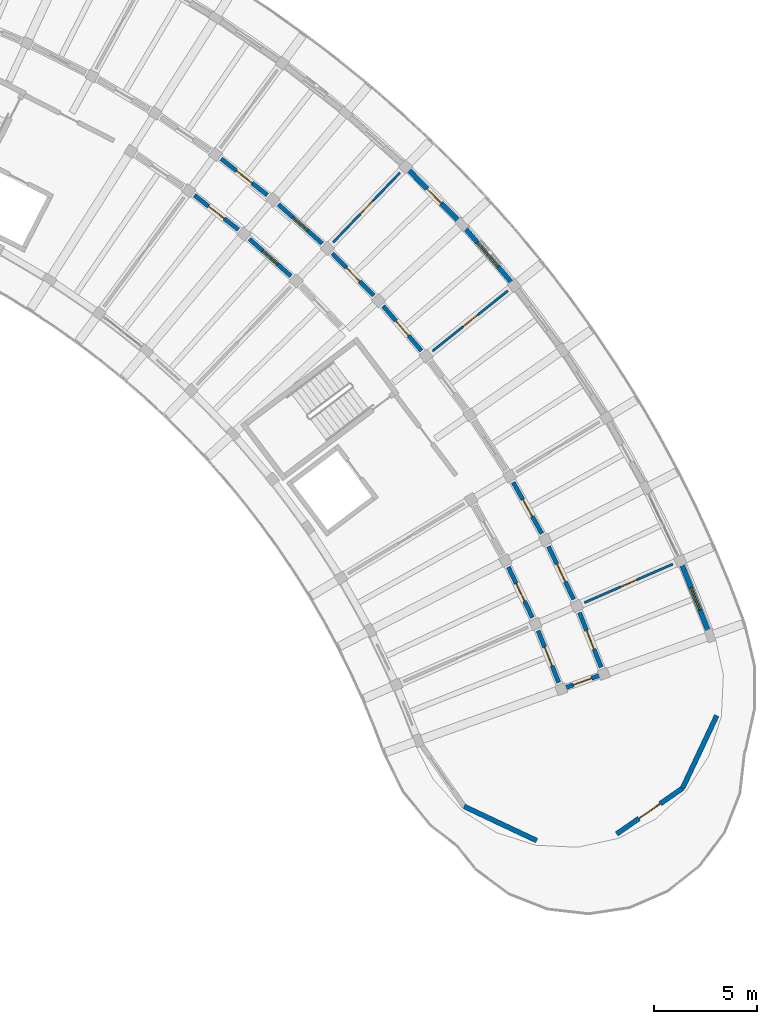
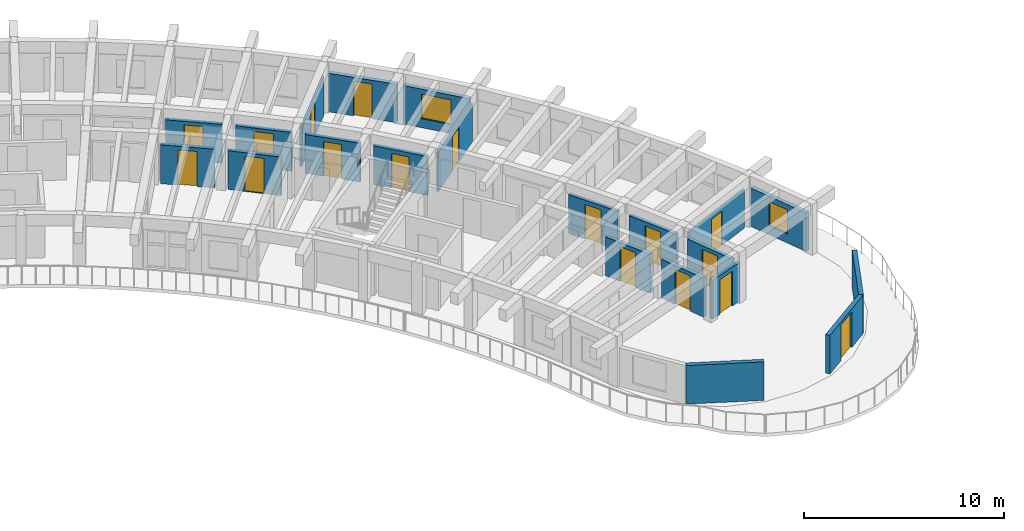
# One storey, part 56 of 83: 21 walls, 17 doors, 2 windows, 19 openings.
"""IFC4 building model written with IfcOpenShell, lengths in metres."""

from ifc_helpers import new_model, si_unit, direction, frame, frame_2d, origin, place, context, subcontext, project, spatial, rectangle, extrude, material, layer, layer_set, type_object, element, fill, save


model = new_model("IFC4")

# Units and contexts
model_context = context("Model", 3, precision=1e-05, world=origin(), true_north=direction((0.0, 1.0)))
body_context = subcontext(model_context, "Body", "Model", "MODEL_VIEW")
ifc_project = project(units=[si_unit("LENGTHUNIT", "METRE"), si_unit("AREAUNIT", "SQUARE_METRE"), si_unit("VOLUMEUNIT", "CUBIC_METRE"), si_unit("PLANEANGLEUNIT", "RADIAN"), si_unit("MASSUNIT", "GRAM", prefix="KILO")], contexts=[model_context])

# Site, building, storey
site_placement = place(None, origin())
site = spatial("IfcSite", under=ifc_project, at=site_placement, CompositionType="ELEMENT")
building_placement = place(site_placement, origin())
building = spatial("IfcBuilding", under=site, at=building_placement, Name="Tanwirah Colonnade Gardens", CompositionType="ELEMENT")
storey_placement = place(building_placement, frame((0.0, 0.0, 25.639892578125)))
storey = spatial("IfcBuildingStorey", under=building, at=storey_placement, Name="L07", CompositionType="ELEMENT", Elevation=25.639892578125)

# Wall, opening, window
ifc_material_1 = material(Name="Limestone architectural precast concrete C40/50", Category="masonry")
ifc_layer_1 = layer(ifc_material_1, 0.239990234375)
ifc_layer_set_1 = layer_set([ifc_layer_1], Name="Limestone architectural precast concrete C40/50")
wall_type_1 = type_object("IfcWallType", Name="EW-PC240", PredefinedType="SOLIDWALL", material=ifc_layer_set_1)
wall_1_placement = place(storey_placement, frame((176.978271484375, 80.498779296875, 0.0), z_axis=(0.0, 0.0, 1.0), x_axis=(-0.369205254933, 0.929347878746, 0.0)))
wall_1 = element("IfcWall", 1, at=wall_1_placement, inside=storey, type_object=wall_type_1, Name="Block B L07 OUT Precast Facade Wall 1", PredefinedType="SOLIDWALL", context=body_context, shape_type="SweptSolid", body=[
    extrude(rectangle(XDim=3.545654296875, YDim=0.239990234375, at=frame_2d((1.77294921875, 0.0))), origin(), (0.0, 0.0, 1.0), 2.355224609375),
])
opening_1_placement = place(wall_1_placement, frame((1.182861328125, 0.0, 0.550048828125)))
opening_1 = element("IfcOpeningElement", 2, at=opening_1_placement, cuts=wall_1, Name="Opening WIN-T16", PredefinedType="OPENING", context=body_context, shape_type="SweptSolid", body=[
    extrude(rectangle(XDim=1.179931640625, YDim=1.47998046875, at=frame_2d((0.58984375, 0.739990234375))), frame((0.0, 0.1298828125, 0.0), z_axis=(0.0, -1.0, 0.0), x_axis=(1.0, 0.0, 0.0)), (0.0, 0.0, 1.0), 0.260009765625),
])
ifc_material_2 = material(Name="Thermally broken bronze aluminium and solar low-E double glazing", Category="aluminium")
window_type_1 = type_object("IfcWindowType", Name="WIN-T16", PartitioningType="SINGLE_PANEL", PredefinedType="WINDOW", material=ifc_material_2)
window_1_placement = place(opening_1_placement, origin())
window_1 = element("IfcWindow", 3, at=window_1_placement, inside=storey, type_object=window_type_1, Name="Facade window B-L07-OUT-01", OverallHeight=1.47998046875, OverallWidth=1.179931640625, PartitioningType="SINGLE_PANEL", PredefinedType="WINDOW", context=body_context, shape_type="SweptSolid", body=[
    extrude(rectangle(XDim=1.179931640625, YDim=1.47998046875, at=frame_2d((0.58984375, 0.739990234375))), frame((0.0, 0.030029296875, 0.0), z_axis=(0.0, -1.0, 0.0), x_axis=(1.0, 0.0, 0.0)), (0.0, 0.0, 1.0), 0.06005859375),
])
fill(opening_1, window_1)

wall_2_placement = place(storey_placement, frame((167.353271484375, 97.5732421875, 0.0), z_axis=(0.0, 0.0, 1.0), x_axis=(-0.650173106396, 0.75978610919, 0.0)))
wall_2 = element("IfcWall", 4, at=wall_2_placement, inside=storey, type_object=wall_type_1, Name="Block B L07 OUT Precast Facade Wall 6", PredefinedType="SOLIDWALL", context=body_context, shape_type="SweptSolid", body=[
    extrude(rectangle(XDim=3.5458984375, YDim=0.239990234375, at=frame_2d((1.77294921875, 0.0))), origin(), (0.0, 0.0, 1.0), 2.355224609375),
])
opening_2_placement = place(wall_2_placement, frame((0.992919921875, 0.0, 0.550048828125)))
opening_2 = element("IfcOpeningElement", 5, at=opening_2_placement, cuts=wall_2, Name="Opening WIN-U11", PredefinedType="OPENING", context=body_context, shape_type="SweptSolid", body=[
    extrude(rectangle(XDim=1.56005859375, YDim=1.510009765625, at=frame_2d((0.780029296875, 0.7548828125))), frame((0.0, 0.1298828125, 0.0), z_axis=(0.0, -1.0, 0.0), x_axis=(1.0, 0.0, 0.0)), (0.0, 0.0, 1.0), 0.260009765625),
])
window_type_2 = type_object("IfcWindowType", Name="WIN-U11", PartitioningType="DOUBLE_PANEL_VERTICAL", PredefinedType="WINDOW", material=ifc_material_2)
window_2_placement = place(opening_2_placement, origin())
window_2 = element("IfcWindow", 6, at=window_2_placement, inside=storey, type_object=window_type_2, Name="Facade window B-L07-OUT-06", OverallHeight=1.510009765625, OverallWidth=1.56005859375, PartitioningType="SINGLE_PANEL", PredefinedType="WINDOW", context=body_context, shape_type="SweptSolid", body=[
    extrude(rectangle(XDim=1.56005859375, YDim=1.510009765625, at=frame_2d((0.780029296875, 0.7548828125))), frame((0.0, 0.030029296875, 0.0), z_axis=(0.0, -1.0, 0.0), x_axis=(1.0, 0.0, 0.0)), (0.0, 0.0, 1.0), 0.06005859375),
])
fill(opening_2, window_2)

# Wall, opening, door
wall_3_placement = place(storey_placement, frame((164.83203125, 100.503173828125, 0.0), z_axis=(0.0, 0.0, 1.0), x_axis=(-0.698796064424, 0.715320949187, 0.0)))
wall_3 = element("IfcWall", 7, at=wall_3_placement, inside=storey, type_object=wall_type_1, Name="Block B L07 OUT Precast Facade Wall 7", PredefinedType="SOLIDWALL", context=body_context, shape_type="SweptSolid", body=[
    extrude(rectangle(XDim=3.5458984375, YDim=0.239990234375, at=frame_2d((1.77294921875, 0.0))), origin(), (0.0, 0.0, 1.0), 2.355224609375),
])
opening_3_placement = place(wall_3_placement, frame((1.282958984375, 0.0, 0.0)))
opening_3 = element("IfcOpeningElement", 8, at=opening_3_placement, cuts=wall_3, Name="Opening L07-ED099", PredefinedType="OPENING", context=body_context, shape_type="SweptSolid", body=[
    extrude(rectangle(XDim=0.97998046875, YDim=2.1201171875, at=frame_2d((0.489990234375, 1.06005859375))), frame((0.0, 0.1298828125, 0.0), z_axis=(0.0, -1.0, 0.0), x_axis=(1.0, 0.0, 0.0)), (0.0, 0.0, 1.0), 0.260009765625),
])
ifc_material_3 = material(Name="Bronze aluminium glazed balcony door", Category="aluminium")
door_type_1 = type_object("IfcDoorType", Name="ED-BAL098", OperationType="NOTDEFINED", PredefinedType="DOOR", material=ifc_material_3)
door_1_placement = place(opening_3_placement, origin())
door_1 = element("IfcDoor", 9, at=door_1_placement, inside=storey, type_object=door_type_1, Name="Balcony glazed door L07-ED099", OperationType="SINGLE_SWING_LEFT", OverallHeight=2.1201171875, OverallWidth=0.97998046875, PredefinedType="DOOR", context=body_context, shape_type="SweptSolid", body=[
    extrude(rectangle(XDim=0.97998046875, YDim=2.1201171875, at=frame_2d((0.489990234375, 1.06005859375))), frame((0.0, 0.02490234375, 0.0), z_axis=(0.0, -1.0, 0.0), x_axis=(1.0, 0.0, 0.0)), (0.0, 0.0, 1.0), 0.050048828125),
])
fill(opening_3, door_1)

# Wall
wall_4_placement = place(storey_placement, frame((177.36279296875, 76.45556640625, 0.0), z_axis=(0.0, 0.0, 1.0), x_axis=(-0.42610086282, -0.904675662712, 0.0)))
element("IfcWall", 10, at=wall_4_placement, inside=storey, type_object=wall_type_1, Name="Block B L07 START Rounded End Wall 1", PredefinedType="SOLIDWALL", context=body_context, shape_type="SweptSolid", body=[
    extrude(rectangle(XDim=3.908203125, YDim=0.239990234375, at=frame_2d((1.9541015625, 0.0))), origin(), (0.0, 0.0, 1.0), 2.355224609375),
])

# Wall, opening, door
wall_5_placement = place(storey_placement, frame((175.697509765625, 72.919921875, 0.0), z_axis=(0.0, 0.0, 1.0), x_axis=(-0.821377282135, -0.570385273646, 0.0)))
wall_5 = element("IfcWall", 11, at=wall_5_placement, inside=storey, type_object=wall_type_1, Name="Block B L07 START Rounded End Wall 2", PredefinedType="SOLIDWALL", context=body_context, shape_type="SweptSolid", body=[
    extrude(rectangle(XDim=3.908203125, YDim=0.239990234375, at=frame_2d((1.9541015625, 0.0))), origin(), (0.0, 0.0, 1.0), 2.355224609375),
])
opening_4_placement = place(wall_5_placement, frame((1.32421875, 0.0, 0.0)))
opening_4 = element("IfcOpeningElement", 12, at=opening_4_placement, cuts=wall_5, Name="Opening L07-ED102", PredefinedType="OPENING", context=body_context, shape_type="SweptSolid", body=[
    extrude(rectangle(XDim=1.260009765625, YDim=2.179931640625, at=frame_2d((0.6298828125, 1.08984375))), frame((0.0, 0.1298828125, 0.0), z_axis=(0.0, -1.0, 0.0), x_axis=(1.0, 0.0, 0.0)), (0.0, 0.0, 1.0), 0.260009765625),
])
ifc_material_4 = material(Name="Bronze aluminium glazed terrace door", Category="aluminium")
door_type_2 = type_object("IfcDoorType", Name="ED-TER126", OperationType="NOTDEFINED", PredefinedType="DOOR", material=ifc_material_4)
door_2_placement = place(opening_4_placement, origin())
door_2 = element("IfcDoor", 13, at=door_2_placement, inside=storey, type_object=door_type_2, Name="Stepped corner terrace door L07-ED102", OperationType="SINGLE_SWING_RIGHT", OverallHeight=2.179931640625, OverallWidth=1.260009765625, PredefinedType="DOOR", context=body_context, shape_type="SweptSolid", body=[
    extrude(rectangle(XDim=1.260009765625, YDim=2.179931640625, at=frame_2d((0.6298828125, 1.08984375))), frame((0.0, 0.02490234375, 0.0), z_axis=(0.0, -1.0, 0.0), x_axis=(1.0, 0.0, 0.0)), (0.0, 0.0, 1.0), 0.050048828125),
])
fill(opening_4, door_2)

# Wall
wall_6_placement = place(storey_placement, frame((168.5927734375, 70.365234375, 0.0), z_axis=(0.0, 0.0, 1.0), x_axis=(-0.904675662712, 0.42610086282, 0.0)))
element("IfcWall", 14, at=wall_6_placement, inside=storey, type_object=wall_type_1, Name="Block B L07 START Rounded End Wall 4", PredefinedType="SOLIDWALL", context=body_context, shape_type="SweptSolid", body=[
    extrude(rectangle(XDim=3.908203125, YDim=0.239990234375, at=frame_2d((1.9541015625, 0.0))), origin(), (0.0, 0.0, 1.0), 2.355224609375),
])

# Wall, opening, door
ifc_material_5 = material(Name="Precast concrete C40/50", Category="concrete")
ifc_layer_2 = layer(ifc_material_5, 0.205078125)
ifc_layer_set_2 = layer_set([ifc_layer_2], Name="Precast concrete C40/50")
wall_type_2 = type_object("IfcWallType", Name="IW-CORR205", PredefinedType="PARTITIONING", material=ifc_layer_set_2)
wall_7_placement = place(storey_placement, frame((171.732421875, 78.814208984375, 0.0), z_axis=(0.0, 0.0, 1.0), x_axis=(-0.369213832442, 0.929344471083, 0.0)))
wall_7 = element("IfcWall", 15, at=wall_7_placement, inside=storey, type_object=wall_type_2, Name="Block B L07 OUT Corridor Wall 1", PredefinedType="PARTITIONING", context=body_context, shape_type="SweptSolid", body=[
    extrude(rectangle(XDim=2.86328125, YDim=0.205078125, at=frame_2d((1.431640625, 0.0))), origin(), (0.0, 0.0, 1.0), 2.3701171875),
])
opening_5_placement = place(wall_7_placement, frame((0.946533203125, 0.0, 0.0)))
opening_5 = element("IfcOpeningElement", 16, at=opening_5_placement, cuts=wall_7, Name="Opening L07-AD1086", PredefinedType="OPENING", context=body_context, shape_type="SweptSolid", body=[
    extrude(rectangle(XDim=0.969970703125, YDim=2.14990234375, at=frame_2d((0.48486328125, 1.074951171875))), frame((0.0, 0.112548828125, 0.0), z_axis=(0.0, -1.0, 0.0), x_axis=(1.0, 0.0, 0.0)), (0.0, 0.0, 1.0), 0.22509765625),
])
ifc_material_6 = material(Name="Solid oak fire-resisting apartment entrance door")
door_type_3 = type_object("IfcDoorType", Name="ID-FLT097", OperationType="NOTDEFINED", PredefinedType="DOOR", material=ifc_material_6)
door_3_placement = place(opening_5_placement, origin())
door_3 = element("IfcDoor", 17, at=door_3_placement, inside=storey, type_object=door_type_3, Name="Apartment corridor door L07-AD1086", OperationType="SINGLE_SWING_LEFT", OverallHeight=2.14990234375, OverallWidth=0.969970703125, PredefinedType="DOOR", context=body_context, shape_type="SweptSolid", body=[
    extrude(rectangle(XDim=0.969970703125, YDim=2.14990234375, at=frame_2d((0.48486328125, 1.074951171875))), frame((0.0, 0.02490234375, 0.0), z_axis=(0.0, -1.0, 0.0), x_axis=(1.0, 0.0, 0.0)), (0.0, 0.0, 1.0), 0.050048828125),
])
fill(opening_5, door_3)

wall_8_placement = place(storey_placement, frame((169.662353515625, 78.06982421875, 0.0), z_axis=(0.0, 0.0, 1.0), x_axis=(-0.369237170461, 0.929335198919, 0.0)))
wall_8 = element("IfcWall", 18, at=wall_8_placement, inside=storey, type_object=wall_type_2, Name="Block B L07 IN Corridor Wall 1", PredefinedType="PARTITIONING", context=body_context, shape_type="SweptSolid", body=[
    extrude(rectangle(XDim=2.71826171875, YDim=0.205078125, at=frame_2d((1.359130859375, 0.0))), origin(), (0.0, 0.0, 1.0), 2.3701171875),
])
opening_6_placement = place(wall_8_placement, frame((0.8740234375, 0.0, 0.0)))
opening_6 = element("IfcOpeningElement", 19, at=opening_6_placement, cuts=wall_8, Name="Opening L07-AD1087", PredefinedType="OPENING", context=body_context, shape_type="SweptSolid", body=[
    extrude(rectangle(XDim=0.969970703125, YDim=2.14990234375, at=frame_2d((0.48486328125, 1.074951171875))), frame((0.0, 0.112548828125, 0.0), z_axis=(0.0, -1.0, 0.0), x_axis=(1.0, 0.0, 0.0)), (0.0, 0.0, 1.0), 0.22509765625),
])
door_4_placement = place(opening_6_placement, origin())
door_4 = element("IfcDoor", 20, at=door_4_placement, inside=storey, type_object=door_type_3, Name="Apartment corridor door L07-AD1087", OperationType="SINGLE_SWING_RIGHT", OverallHeight=2.14990234375, OverallWidth=0.969970703125, PredefinedType="DOOR", context=body_context, shape_type="SweptSolid", body=[
    extrude(rectangle(XDim=0.969970703125, YDim=2.14990234375, at=frame_2d((0.48486328125, 1.074951171875))), frame((0.0, 0.02490234375, 0.0), z_axis=(0.0, -1.0, 0.0), x_axis=(1.0, 0.0, 0.0)), (0.0, 0.0, 1.0), 0.050048828125),
])
fill(opening_6, door_4)

wall_9_placement = place(storey_placement, frame((170.395751953125, 82.116455078125, 0.0), z_axis=(0.0, 0.0, 1.0), x_axis=(-0.429595933416, 0.90302122566, 0.0)))
wall_9 = element("IfcWall", 21, at=wall_9_placement, inside=storey, type_object=wall_type_2, Name="Block B L07 OUT Corridor Wall 2", PredefinedType="PARTITIONING", context=body_context, shape_type="SweptSolid", body=[
    extrude(rectangle(XDim=2.863037109375, YDim=0.205078125, at=frame_2d((1.431640625, 0.0))), origin(), (0.0, 0.0, 1.0), 2.3701171875),
])
opening_7_placement = place(wall_9_placement, frame((0.95654296875, 0.0, 0.0)))
opening_7 = element("IfcOpeningElement", 22, at=opening_7_placement, cuts=wall_9, Name="Opening L07-AD1090", PredefinedType="OPENING", context=body_context, shape_type="SweptSolid", body=[
    extrude(rectangle(XDim=0.949951171875, YDim=2.1298828125, at=frame_2d((0.47509765625, 1.06494140625))), frame((0.0, 0.112548828125, 0.0), z_axis=(0.0, -1.0, 0.0), x_axis=(1.0, 0.0, 0.0)), (0.0, 0.0, 1.0), 0.22509765625),
])
door_type_4 = type_object("IfcDoorType", Name="ID-FLT095", OperationType="NOTDEFINED", PredefinedType="DOOR", material=ifc_material_6)
door_5_placement = place(opening_7_placement, origin())
door_5 = element("IfcDoor", 23, at=door_5_placement, inside=storey, type_object=door_type_4, Name="Apartment corridor door L07-AD1090", OperationType="SINGLE_SWING_RIGHT", OverallHeight=2.1298828125, OverallWidth=0.949951171875, PredefinedType="DOOR", context=body_context, shape_type="SweptSolid", body=[
    extrude(rectangle(XDim=0.949951171875, YDim=2.1298828125, at=frame_2d((0.47509765625, 1.06494140625))), frame((0.0, 0.02490234375, 0.0), z_axis=(0.0, -1.0, 0.0), x_axis=(1.0, 0.0, 0.0)), (0.0, 0.0, 1.0), 0.050048828125),
])
fill(opening_7, door_5)

wall_10_placement = place(storey_placement, frame((168.379150390625, 81.2373046875, 0.0), z_axis=(0.0, 0.0, 1.0), x_axis=(-0.429630211913, 0.90300491749, 0.0)))
wall_10 = element("IfcWall", 24, at=wall_10_placement, inside=storey, type_object=wall_type_2, Name="Block B L07 IN Corridor Wall 2", PredefinedType="PARTITIONING", context=body_context, shape_type="SweptSolid", body=[
    extrude(rectangle(XDim=2.718017578125, YDim=0.205078125, at=frame_2d((1.35888671875, 0.0))), origin(), (0.0, 0.0, 1.0), 2.3701171875),
])
opening_8_placement = place(wall_10_placement, frame((0.884033203125, 0.0, 0.0)))
opening_8 = element("IfcOpeningElement", 25, at=opening_8_placement, cuts=wall_10, Name="Opening L07-AD1091", PredefinedType="OPENING", context=body_context, shape_type="SweptSolid", body=[
    extrude(rectangle(XDim=0.949951171875, YDim=2.1298828125, at=frame_2d((0.47509765625, 1.06494140625))), frame((0.0, 0.112548828125, 0.0), z_axis=(0.0, -1.0, 0.0), x_axis=(1.0, 0.0, 0.0)), (0.0, 0.0, 1.0), 0.22509765625),
])
door_6_placement = place(opening_8_placement, origin())
door_6 = element("IfcDoor", 26, at=door_6_placement, inside=storey, type_object=door_type_4, Name="Apartment corridor door L07-AD1091", OperationType="SINGLE_SWING_LEFT", OverallHeight=2.1298828125, OverallWidth=0.949951171875, PredefinedType="DOOR", context=body_context, shape_type="SweptSolid", body=[
    extrude(rectangle(XDim=0.949951171875, YDim=2.1298828125, at=frame_2d((0.47509765625, 1.06494140625))), frame((0.0, 0.02490234375, 0.0), z_axis=(0.0, -1.0, 0.0), x_axis=(1.0, 0.0, 0.0)), (0.0, 0.0, 1.0), 0.050048828125),
])
fill(opening_8, door_6)

wall_11_placement = place(storey_placement, frame((168.844482421875, 85.323486328125, 0.0), z_axis=(0.0, 0.0, 1.0), x_axis=(-0.48817487918, 0.872745832037, 0.0)))
wall_11 = element("IfcWall", 27, at=wall_11_placement, inside=storey, type_object=wall_type_2, Name="Block B L07 OUT Corridor Wall 3", PredefinedType="PARTITIONING", context=body_context, shape_type="SweptSolid", body=[
    extrude(rectangle(XDim=2.863037109375, YDim=0.205078125, at=frame_2d((1.431640625, 0.0))), origin(), (0.0, 0.0, 1.0), 2.3701171875),
])
opening_9_placement = place(wall_11_placement, frame((0.966552734375, 0.0, 0.0)))
opening_9 = element("IfcOpeningElement", 28, at=opening_9_placement, cuts=wall_11, Name="Opening L07-AD1092", PredefinedType="OPENING", context=body_context, shape_type="SweptSolid", body=[
    extrude(rectangle(XDim=0.929931640625, YDim=2.1201171875, at=frame_2d((0.46484375, 1.06005859375))), frame((0.0, 0.112548828125, 0.0), z_axis=(0.0, -1.0, 0.0), x_axis=(1.0, 0.0, 0.0)), (0.0, 0.0, 1.0), 0.22509765625),
])
door_type_5 = type_object("IfcDoorType", Name="ID-FLT093", OperationType="NOTDEFINED", PredefinedType="DOOR", material=ifc_material_6)
door_7_placement = place(opening_9_placement, origin())
door_7 = element("IfcDoor", 29, at=door_7_placement, inside=storey, type_object=door_type_5, Name="Apartment corridor door L07-AD1092", OperationType="SINGLE_SWING_LEFT", OverallHeight=2.1201171875, OverallWidth=0.929931640625, PredefinedType="DOOR", context=body_context, shape_type="SweptSolid", body=[
    extrude(rectangle(XDim=0.929931640625, YDim=2.1201171875, at=frame_2d((0.46484375, 1.06005859375))), frame((0.0, 0.02490234375, 0.0), z_axis=(0.0, -1.0, 0.0), x_axis=(1.0, 0.0, 0.0)), (0.0, 0.0, 1.0), 0.050048828125),
])
fill(opening_9, door_7)

wall_12_placement = place(storey_placement, frame((162.974365234375, 94.23583984375, 0.0), z_axis=(0.0, 0.0, 1.0), x_axis=(-0.650194272684, 0.759767996015, 0.0)))
wall_12 = element("IfcWall", 30, at=wall_12_placement, inside=storey, type_object=wall_type_2, Name="Block B L07 OUT Corridor Wall 6", PredefinedType="PARTITIONING", context=body_context, shape_type="SweptSolid", body=[
    extrude(rectangle(XDim=2.863037109375, YDim=0.205078125, at=frame_2d((1.431640625, 0.0))), origin(), (0.0, 0.0, 1.0), 2.3701171875),
])
opening_10_placement = place(wall_12_placement, frame((0.95654296875, 0.0, 0.0)))
opening_10 = element("IfcOpeningElement", 31, at=opening_10_placement, cuts=wall_12, Name="Opening L07-AD1099", PredefinedType="OPENING", context=body_context, shape_type="SweptSolid", body=[
    extrude(rectangle(XDim=0.949951171875, YDim=2.1298828125, at=frame_2d((0.47509765625, 1.06494140625))), frame((0.0, 0.112548828125, 0.0), z_axis=(0.0, -1.0, 0.0), x_axis=(1.0, 0.0, 0.0)), (0.0, 0.0, 1.0), 0.22509765625),
])
door_8_placement = place(opening_10_placement, origin())
door_8 = element("IfcDoor", 32, at=door_8_placement, inside=storey, type_object=door_type_4, Name="Apartment corridor door L07-AD1099", OperationType="SINGLE_SWING_RIGHT", OverallHeight=2.1298828125, OverallWidth=0.949951171875, PredefinedType="DOOR", context=body_context, shape_type="SweptSolid", body=[
    extrude(rectangle(XDim=0.949951171875, YDim=2.1298828125, at=frame_2d((0.47509765625, 1.06494140625))), frame((0.0, 0.02490234375, 0.0), z_axis=(0.0, -1.0, 0.0), x_axis=(1.0, 0.0, 0.0)), (0.0, 0.0, 1.0), 0.050048828125),
])
fill(opening_10, door_8)

wall_13_placement = place(storey_placement, frame((160.640625, 96.92724609375, 0.0), z_axis=(0.0, 0.0, 1.0), x_axis=(-0.698787219683, 0.715329589496, 0.0)))
wall_13 = element("IfcWall", 33, at=wall_13_placement, inside=storey, type_object=wall_type_2, Name="Block B L07 OUT Corridor Wall 7", PredefinedType="PARTITIONING", context=body_context, shape_type="SweptSolid", body=[
    extrude(rectangle(XDim=2.863037109375, YDim=0.205078125, at=frame_2d((1.431640625, 0.0))), origin(), (0.0, 0.0, 1.0), 2.3701171875),
])
opening_11_placement = place(wall_13_placement, frame((0.966552734375, 0.0, 0.0)))
opening_11 = element("IfcOpeningElement", 34, at=opening_11_placement, cuts=wall_13, Name="Opening L07-AD1100", PredefinedType="OPENING", context=body_context, shape_type="SweptSolid", body=[
    extrude(rectangle(XDim=0.929931640625, YDim=2.1201171875, at=frame_2d((0.46484375, 1.06005859375))), frame((0.0, 0.112548828125, 0.0), z_axis=(0.0, -1.0, 0.0), x_axis=(1.0, 0.0, 0.0)), (0.0, 0.0, 1.0), 0.22509765625),
])
door_9_placement = place(opening_11_placement, origin())
door_9 = element("IfcDoor", 35, at=door_9_placement, inside=storey, type_object=door_type_5, Name="Apartment corridor door L07-AD1100", OperationType="SINGLE_SWING_LEFT", OverallHeight=2.1201171875, OverallWidth=0.929931640625, PredefinedType="DOOR", context=body_context, shape_type="SweptSolid", body=[
    extrude(rectangle(XDim=0.929931640625, YDim=2.1201171875, at=frame_2d((0.46484375, 1.06005859375))), frame((0.0, 0.02490234375, 0.0), z_axis=(0.0, -1.0, 0.0), x_axis=(1.0, 0.0, 0.0)), (0.0, 0.0, 1.0), 0.050048828125),
])
fill(opening_11, door_9)

wall_14_placement = place(storey_placement, frame((158.134765625, 99.459228515625, 0.0), z_axis=(0.0, 0.0, 1.0), x_axis=(-0.744433521088, 0.667696587291, 0.0)))
wall_14 = element("IfcWall", 36, at=wall_14_placement, inside=storey, type_object=wall_type_2, Name="Block B L07 OUT Corridor Wall 8", PredefinedType="PARTITIONING", context=body_context, shape_type="SweptSolid", body=[
    extrude(rectangle(XDim=2.86328125, YDim=0.205078125, at=frame_2d((1.431640625, 0.0))), origin(), (0.0, 0.0, 1.0), 2.3701171875),
])
opening_12_placement = place(wall_14_placement, frame((0.9365234375, 0.0, 0.0)))
opening_12 = element("IfcOpeningElement", 37, at=opening_12_placement, cuts=wall_14, Name="Opening L07-AD1104", PredefinedType="OPENING", context=body_context, shape_type="SweptSolid", body=[
    extrude(rectangle(XDim=0.989990234375, YDim=2.159912109375, at=frame_2d((0.4951171875, 1.080078125))), frame((0.0, 0.112548828125, 0.0), z_axis=(0.0, -1.0, 0.0), x_axis=(1.0, 0.0, 0.0)), (0.0, 0.0, 1.0), 0.22509765625),
])
door_type_6 = type_object("IfcDoorType", Name="ID-FLT099", OperationType="NOTDEFINED", PredefinedType="DOOR", material=ifc_material_6)
door_10_placement = place(opening_12_placement, origin())
door_10 = element("IfcDoor", 38, at=door_10_placement, inside=storey, type_object=door_type_6, Name="Apartment corridor door L07-AD1104", OperationType="SINGLE_SWING_RIGHT", OverallHeight=2.159912109375, OverallWidth=0.989990234375, PredefinedType="DOOR", context=body_context, shape_type="SweptSolid", body=[
    extrude(rectangle(XDim=0.989990234375, YDim=2.159912109375, at=frame_2d((0.4951171875, 1.080078125))), frame((0.0, 0.02490234375, 0.0), z_axis=(0.0, -1.0, 0.0), x_axis=(1.0, 0.0, 0.0)), (0.0, 0.0, 1.0), 0.050048828125),
])
fill(opening_12, door_10)

wall_15_placement = place(storey_placement, frame((156.612548828125, 97.870849609375, 0.0), z_axis=(0.0, 0.0, 1.0), x_axis=(-0.744418559135, 0.667713268413, 0.0)))
wall_15 = element("IfcWall", 39, at=wall_15_placement, inside=storey, type_object=wall_type_2, Name="Block B L07 IN Corridor Wall 8", PredefinedType="PARTITIONING", context=body_context, shape_type="SweptSolid", body=[
    extrude(rectangle(XDim=2.71826171875, YDim=0.205078125, at=frame_2d((1.359130859375, 0.0))), origin(), (0.0, 0.0, 1.0), 2.3701171875),
])
opening_13_placement = place(wall_15_placement, frame((0.864013671875, 0.0, 0.0)))
opening_13 = element("IfcOpeningElement", 40, at=opening_13_placement, cuts=wall_15, Name="Opening L07-AD1105", PredefinedType="OPENING", context=body_context, shape_type="SweptSolid", body=[
    extrude(rectangle(XDim=0.989990234375, YDim=2.159912109375, at=frame_2d((0.4951171875, 1.080078125))), frame((0.0, 0.112548828125, 0.0), z_axis=(0.0, -1.0, 0.0), x_axis=(1.0, 0.0, 0.0)), (0.0, 0.0, 1.0), 0.22509765625),
])
door_11_placement = place(opening_13_placement, origin())
door_11 = element("IfcDoor", 41, at=door_11_placement, inside=storey, type_object=door_type_6, Name="Apartment corridor door L07-AD1105", OperationType="SINGLE_SWING_LEFT", OverallHeight=2.159912109375, OverallWidth=0.989990234375, PredefinedType="DOOR", context=body_context, shape_type="SweptSolid", body=[
    extrude(rectangle(XDim=0.989990234375, YDim=2.159912109375, at=frame_2d((0.4951171875, 1.080078125))), frame((0.0, 0.02490234375, 0.0), z_axis=(0.0, -1.0, 0.0), x_axis=(1.0, 0.0, 0.0)), (0.0, 0.0, 1.0), 0.050048828125),
])
fill(opening_13, door_11)

wall_16_placement = place(storey_placement, frame((155.46728515625, 101.82080078125, 0.0), z_axis=(0.0, 0.0, 1.0), x_axis=(-0.786806323554, 0.617199975061, 0.0)))
wall_16 = element("IfcWall", 42, at=wall_16_placement, inside=storey, type_object=wall_type_2, Name="Block B L07 OUT Corridor Wall 9", PredefinedType="PARTITIONING", context=body_context, shape_type="SweptSolid", body=[
    extrude(rectangle(XDim=2.863037109375, YDim=0.205078125, at=frame_2d((1.431640625, 0.0))), origin(), (0.0, 0.0, 1.0), 2.3701171875),
])
opening_14_placement = place(wall_16_placement, frame((0.946533203125, 0.0, 0.0)))
opening_14 = element("IfcOpeningElement", 43, at=opening_14_placement, cuts=wall_16, Name="Opening L07-AD1106", PredefinedType="OPENING", context=body_context, shape_type="SweptSolid", body=[
    extrude(rectangle(XDim=0.969970703125, YDim=2.14990234375, at=frame_2d((0.48486328125, 1.074951171875))), frame((0.0, 0.112548828125, 0.0), z_axis=(0.0, -1.0, 0.0), x_axis=(1.0, 0.0, 0.0)), (0.0, 0.0, 1.0), 0.22509765625),
])
door_12_placement = place(opening_14_placement, origin())
door_12 = element("IfcDoor", 44, at=door_12_placement, inside=storey, type_object=door_type_3, Name="Apartment corridor door L07-AD1106", OperationType="SINGLE_SWING_LEFT", OverallHeight=2.14990234375, OverallWidth=0.969970703125, PredefinedType="DOOR", context=body_context, shape_type="SweptSolid", body=[
    extrude(rectangle(XDim=0.969970703125, YDim=2.14990234375, at=frame_2d((0.48486328125, 1.074951171875))), frame((0.0, 0.02490234375, 0.0), z_axis=(0.0, -1.0, 0.0), x_axis=(1.0, 0.0, 0.0)), (0.0, 0.0, 1.0), 0.050048828125),
])
fill(opening_14, door_12)

wall_17_placement = place(storey_placement, frame((154.05322265625, 100.135498046875, 0.0), z_axis=(0.0, 0.0, 1.0), x_axis=(-0.786835457019, 0.617162833924, 0.0)))
wall_17 = element("IfcWall", 45, at=wall_17_placement, inside=storey, type_object=wall_type_2, Name="Block B L07 IN Corridor Wall 9", PredefinedType="PARTITIONING", context=body_context, shape_type="SweptSolid", body=[
    extrude(rectangle(XDim=2.718017578125, YDim=0.205078125, at=frame_2d((1.35888671875, 0.0))), origin(), (0.0, 0.0, 1.0), 2.3701171875),
])
opening_15_placement = place(wall_17_placement, frame((0.8740234375, 0.0, 0.0)))
opening_15 = element("IfcOpeningElement", 46, at=opening_15_placement, cuts=wall_17, Name="Opening L07-AD1107", PredefinedType="OPENING", context=body_context, shape_type="SweptSolid", body=[
    extrude(rectangle(XDim=0.969970703125, YDim=2.14990234375, at=frame_2d((0.48486328125, 1.074951171875))), frame((0.0, 0.112548828125, 0.0), z_axis=(0.0, -1.0, 0.0), x_axis=(1.0, 0.0, 0.0)), (0.0, 0.0, 1.0), 0.22509765625),
])
door_13_placement = place(opening_15_placement, origin())
door_13 = element("IfcDoor", 47, at=door_13_placement, inside=storey, type_object=door_type_3, Name="Apartment corridor door L07-AD1107", OperationType="SINGLE_SWING_RIGHT", OverallHeight=2.14990234375, OverallWidth=0.969970703125, PredefinedType="DOOR", context=body_context, shape_type="SweptSolid", body=[
    extrude(rectangle(XDim=0.969970703125, YDim=2.14990234375, at=frame_2d((0.48486328125, 1.074951171875))), frame((0.0, 0.02490234375, 0.0), z_axis=(0.0, -1.0, 0.0), x_axis=(1.0, 0.0, 0.0)), (0.0, 0.0, 1.0), 0.050048828125),
])
fill(opening_15, door_13)

wall_18_placement = place(storey_placement, frame((169.838623046875, 77.761474609375, 0.0), z_axis=(0.0, 0.0, 1.0), x_axis=(0.940992591523, 0.338427160109, 0.0)))
wall_18 = element("IfcWall", 48, at=wall_18_placement, inside=storey, type_object=wall_type_2, Name="Block B L07 CS Corner Suite Corridor Wall", PredefinedType="PARTITIONING", context=body_context, shape_type="SweptSolid", body=[
    extrude(rectangle(XDim=2.10009765625, YDim=0.205078125, at=frame_2d((1.050048828125, 0.0))), origin(), (0.0, 0.0, 1.0), 2.3701171875),
])
opening_16_placement = place(wall_18_placement, frame((0.570068359375, 0.0, 0.0)))
opening_16 = element("IfcOpeningElement", 49, at=opening_16_placement, cuts=wall_18, Name="Opening L07-CD1125", PredefinedType="OPENING", context=body_context, shape_type="SweptSolid", body=[
    extrude(rectangle(XDim=0.949951171875, YDim=2.1298828125, at=frame_2d((0.47509765625, 1.06494140625))), frame((0.0, 0.112548828125, 0.0), z_axis=(0.0, -1.0, 0.0), x_axis=(1.0, 0.0, 0.0)), (0.0, 0.0, 1.0), 0.22509765625),
])
door_14_placement = place(opening_16_placement, origin())
door_14 = element("IfcDoor", 50, at=door_14_placement, inside=storey, type_object=door_type_4, Name="Corner suite entrance door L07-CD1125", OperationType="SINGLE_SWING_LEFT", OverallHeight=2.1298828125, OverallWidth=0.949951171875, PredefinedType="DOOR", context=body_context, shape_type="SweptSolid", body=[
    extrude(rectangle(XDim=0.949951171875, YDim=2.1298828125, at=frame_2d((0.47509765625, 1.06494140625))), frame((0.0, 0.02490234375, 0.0), z_axis=(0.0, -1.0, 0.0), x_axis=(1.0, 0.0, 0.0)), (0.0, 0.0, 1.0), 0.050048828125),
])
fill(opening_16, door_14)

ifc_material_7 = material(Name="Acoustic gypsum stud partition")
ifc_layer_3 = layer(ifc_material_7, 0.114990234375)
ifc_layer_set_3 = layer_set([ifc_layer_3], Name="Acoustic gypsum stud partition")
wall_type_3 = type_object("IfcWallType", Name="IW-INT115", PredefinedType="PARTITIONING", material=ifc_layer_set_3)
wall_19_placement = place(storey_placement, frame((170.912841796875, 81.960205078125, 0.0), z_axis=(0.0, 0.0, 1.0), x_axis=(0.916663273961, 0.39966040856, 0.0)))
wall_19 = element("IfcWall", 51, at=wall_19_placement, inside=storey, type_object=wall_type_3, Name="Block B L07 Radial Partition 1", PredefinedType="PARTITIONING", context=body_context, shape_type="SweptSolid", body=[
    extrude(rectangle(XDim=4.699951171875, YDim=0.114990234375, at=frame_2d((2.35009765625, 0.0))), origin(), (0.0, 0.0, 1.0), 2.3701171875),
])
opening_17_placement = place(wall_19_placement, frame((1.9150390625, 0.0, 0.0)))
opening_17 = element("IfcOpeningElement", 52, at=opening_17_placement, cuts=wall_19, Name="Opening L07-RD1088", PredefinedType="OPENING", context=body_context, shape_type="SweptSolid", body=[
    extrude(rectangle(XDim=0.8701171875, YDim=2.080078125, at=frame_2d((0.43505859375, 1.0400390625))), frame((0.0, 0.0673828125, 0.0), z_axis=(0.0, -1.0, 0.0), x_axis=(1.0, 0.0, 0.0)), (0.0, 0.0, 1.0), 0.135009765625),
])
ifc_material_8 = material(Name="Painted hardwood study door", Category="wood")
door_type_7 = type_object("IfcDoorType", Name="ID-RM087", OperationType="NOTDEFINED", PredefinedType="DOOR", material=ifc_material_8)
door_15_placement = place(opening_17_placement, origin())
door_15 = element("IfcDoor", 53, at=door_15_placement, inside=storey, type_object=door_type_7, Name="Internal apartment door L07-RD1088", OperationType="SINGLE_SWING_LEFT", OverallHeight=2.080078125, OverallWidth=0.8701171875, PredefinedType="DOOR", context=body_context, shape_type="SweptSolid", body=[
    extrude(rectangle(XDim=0.8701171875, YDim=2.080078125, at=frame_2d((0.43505859375, 1.0400390625))), frame((0.0, 0.02490234375, 0.0), z_axis=(0.0, -1.0, 0.0), x_axis=(1.0, 0.0, 0.0)), (0.0, 0.0, 1.0), 0.050048828125),
])
fill(opening_17, door_15)

wall_20_placement = place(storey_placement, frame((163.51416015625, 94.2197265625, 0.0), z_axis=(0.0, 0.0, 1.0), x_axis=(0.780807994362, 0.624771058821, 0.0)))
wall_20 = element("IfcWall", 54, at=wall_20_placement, inside=storey, type_object=wall_type_3, Name="Block B L07 Radial Partition 5", PredefinedType="PARTITIONING", context=body_context, shape_type="SweptSolid", body=[
    extrude(rectangle(XDim=4.7001953125, YDim=0.114990234375, at=frame_2d((2.35009765625, 0.0))), origin(), (0.0, 0.0, 1.0), 2.3701171875),
])
opening_18_placement = place(wall_20_placement, frame((1.89501953125, 0.0, 0.0)))
opening_18 = element("IfcOpeningElement", 55, at=opening_18_placement, cuts=wall_20, Name="Opening L07-RD1098", PredefinedType="OPENING", context=body_context, shape_type="SweptSolid", body=[
    extrude(rectangle(XDim=0.909912109375, YDim=2.10009765625, at=frame_2d((0.455078125, 1.050048828125))), frame((0.0, 0.0673828125, 0.0), z_axis=(0.0, -1.0, 0.0), x_axis=(1.0, 0.0, 0.0)), (0.0, 0.0, 1.0), 0.135009765625),
])
ifc_material_9 = material(Name="Painted hardwood internal room door", Category="wood")
door_type_8 = type_object("IfcDoorType", Name="ID-RM091", OperationType="NOTDEFINED", PredefinedType="DOOR", material=ifc_material_9)
door_16_placement = place(opening_18_placement, origin())
door_16 = element("IfcDoor", 56, at=door_16_placement, inside=storey, type_object=door_type_8, Name="Internal apartment door L07-RD1098", OperationType="SINGLE_SWING_LEFT", OverallHeight=2.10009765625, OverallWidth=0.909912109375, PredefinedType="DOOR", context=body_context, shape_type="SweptSolid", body=[
    extrude(rectangle(XDim=0.909912109375, YDim=2.10009765625, at=frame_2d((0.455078125, 1.050048828125))), frame((0.0, 0.02490234375, 0.0), z_axis=(0.0, -1.0, 0.0), x_axis=(1.0, 0.0, 0.0)), (0.0, 0.0, 1.0), 0.050048828125),
])
fill(opening_18, door_16)

wall_21_placement = place(storey_placement, frame((158.671875, 99.514404296875, 0.0), z_axis=(0.0, 0.0, 1.0), x_axis=(0.691855720025, 0.722035776585, 0.0)))
wall_21 = element("IfcWall", 57, at=wall_21_placement, inside=storey, type_object=wall_type_3, Name="Block B L07 Radial Partition 7", PredefinedType="PARTITIONING", context=body_context, shape_type="SweptSolid", body=[
    extrude(rectangle(XDim=4.699951171875, YDim=0.114990234375, at=frame_2d((2.35009765625, 0.0))), origin(), (0.0, 0.0, 1.0), 2.3701171875),
])
opening_19_placement = place(wall_21_placement, frame((1.9150390625, 0.0, 0.0)))
opening_19 = element("IfcOpeningElement", 58, at=opening_19_placement, cuts=wall_21, Name="Opening L07-RD1102", PredefinedType="OPENING", context=body_context, shape_type="SweptSolid", body=[
    extrude(rectangle(XDim=0.8701171875, YDim=2.080078125, at=frame_2d((0.43505859375, 1.0400390625))), frame((0.0, 0.0673828125, 0.0), z_axis=(0.0, -1.0, 0.0), x_axis=(1.0, 0.0, 0.0)), (0.0, 0.0, 1.0), 0.135009765625),
])
door_17_placement = place(opening_19_placement, origin())
door_17 = element("IfcDoor", 59, at=door_17_placement, inside=storey, type_object=door_type_7, Name="Internal apartment door L07-RD1102", OperationType="SINGLE_SWING_LEFT", OverallHeight=2.080078125, OverallWidth=0.8701171875, PredefinedType="DOOR", context=body_context, shape_type="SweptSolid", body=[
    extrude(rectangle(XDim=0.8701171875, YDim=2.080078125, at=frame_2d((0.43505859375, 1.0400390625))), frame((0.0, 0.02490234375, 0.0), z_axis=(0.0, -1.0, 0.0), x_axis=(1.0, 0.0, 0.0)), (0.0, 0.0, 1.0), 0.050048828125),
])
fill(opening_19, door_17)

save(model, "model.ifc")
